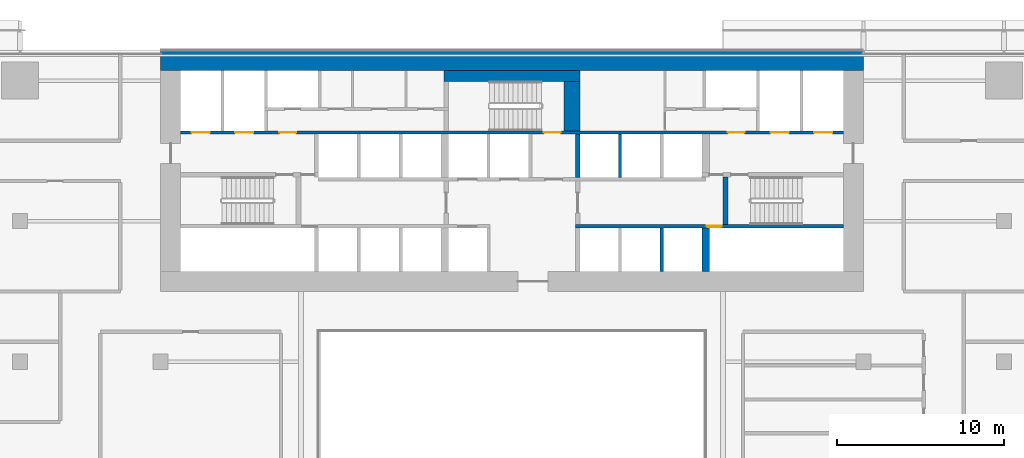
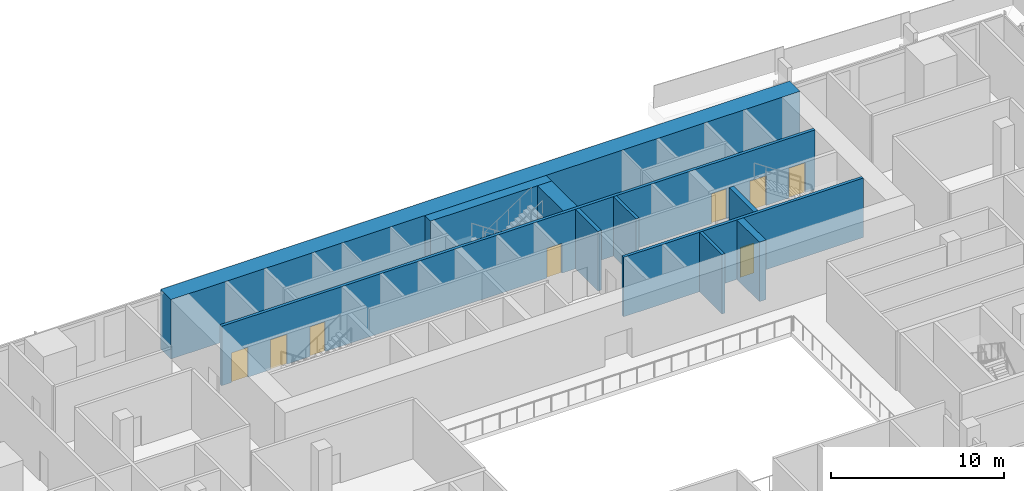
# One storey, part 16 of 23: 10 walls, 8 doors, 8 openings.
"""IFC4 building model written with IfcOpenShell, lengths in metres."""

from ifc_helpers import new_model, si_unit, direction, frame, frame_2d, origin, place, context, subcontext, project, spatial, rectangle, extrude, material, layer, layer_set, type_object, element, fill, save


model = new_model("IFC4")

# Units and contexts
model_context = context("Model", 3, precision=1e-05, world=origin(), true_north=direction((0.0, 1.0)))
body_context = subcontext(model_context, "Body", "Model", "MODEL_VIEW")
ifc_project = project(units=[si_unit("LENGTHUNIT", "METRE"), si_unit("AREAUNIT", "SQUARE_METRE"), si_unit("VOLUMEUNIT", "CUBIC_METRE"), si_unit("PLANEANGLEUNIT", "RADIAN"), si_unit("MASSUNIT", "GRAM", prefix="KILO")], contexts=[model_context])

# Site, building, storey
site_placement = place(None, origin())
site = spatial("IfcSite", under=ifc_project, at=site_placement, CompositionType="ELEMENT")
building_placement = place(site_placement, origin())
building = spatial("IfcBuilding", under=site, at=building_placement, Name="Saffron Gate Tower", CompositionType="ELEMENT")
storey_placement = place(building_placement, frame((0.0, 0.0, 23.699951171875)))
storey = spatial("IfcBuildingStorey", under=building, at=storey_placement, Name="L04", CompositionType="ELEMENT", Elevation=23.699951171875)

# Walls
ifc_material_1 = material(Name="Concrete C70", Category="concrete")
ifc_layer_1 = layer(ifc_material_1, 1.199951171875)
ifc_layer_set_1 = layer_set([ifc_layer_1], Name="CW1 RC core wall 1200 C70")
wall_type_1 = type_object("IfcWallType", Name="CW1 RC core wall 1200 C70", PredefinedType="SOLIDWALL", material=ifc_layer_set_1)
wall_1_placement = place(storey_placement, frame((66.60009765625, 75.0, 0.0), z_axis=(0.0, 0.0, 1.0), x_axis=(1.0, 0.0, 0.0)))
element("IfcWall", 1, at=wall_1_placement, inside=storey, type_object=wall_type_1, Name="Wall CW1-L04-2", PredefinedType="SOLIDWALL", context=body_context, shape_type="SweptSolid", body=[
    extrude(rectangle(XDim=42.0, YDim=1.199951171875, at=frame_2d((21.0, 0.0))), origin(), (0.0, 0.0, 1.0), 4.199951171875),
])
ifc_layer_2 = layer(ifc_material_1, 0.25)
ifc_layer_set_2 = layer_set([ifc_layer_2], Name="CW2 RC core wall 250 C70")
wall_type_2 = type_object("IfcWallType", Name="CW2 RC core wall 250 C70", PredefinedType="SOLIDWALL", material=ifc_layer_set_2)
wall_2_placement = place(storey_placement, frame((91.52490234375, 68.0, 0.0), z_axis=(0.0, 0.0, 1.0), x_axis=(0.0, 1.0, 0.0)))
element("IfcWall", 2, at=wall_2_placement, inside=storey, type_object=wall_type_2, Name="Wall CW2-L04-26", PredefinedType="SOLIDWALL", context=body_context, shape_type="SweptSolid", body=[
    extrude(rectangle(XDim=2.60009765625, YDim=0.25, at=frame_2d((1.300048828125, 0.0))), origin(), (0.0, 0.0, 1.0), 4.199951171875),
])
ifc_layer_3 = layer(ifc_material_1, 0.199951171875)
ifc_layer_set_3 = layer_set([ifc_layer_3], Name="CW3 RC core wall 200 C70")
wall_type_3 = type_object("IfcWallType", Name="CW3 RC core wall 200 C70", PredefinedType="SOLIDWALL", material=ifc_layer_set_3)
wall_3_placement = place(storey_placement, frame((96.550048828125, 62.39990234375, 0.0), z_axis=(0.0, 0.0, 1.0), x_axis=(0.0, 1.0, 0.0)))
element("IfcWall", 3, at=wall_3_placement, inside=storey, type_object=wall_type_3, Name="Wall CW3-L04-12", PredefinedType="SOLIDWALL", context=body_context, shape_type="SweptSolid", body=[
    extrude(rectangle(XDim=2.60009765625, YDim=0.199951171875, at=frame_2d((1.300048828125, 0.0))), origin(), (0.0, 0.0, 1.0), 4.199951171875),
])

# Wall, opening, door
wall_4_placement = place(storey_placement, frame((91.39990234375, 65.10009765625, 0.0), z_axis=(0.0, 0.0, 1.0), x_axis=(1.0, 0.0, 0.0)))
wall_4 = element("IfcWall", 4, at=wall_4_placement, inside=storey, type_object=wall_type_3, Name="Wall CW3-L04-15", PredefinedType="SOLIDWALL", context=body_context, shape_type="SweptSolid", body=[
    extrude(rectangle(XDim=16.0, YDim=0.199951171875, at=frame_2d((8.0, 0.0))), origin(), (0.0, 0.0, 1.0), 4.199951171875),
])
opening_1_placement = place(wall_4_placement, frame((7.830078125, 0.0, 0.0)))
opening_1 = element("IfcOpeningElement", 5, at=opening_1_placement, cuts=wall_4, Name="Opening CR-48", PredefinedType="OPENING", context=body_context, shape_type="SweptSolid", body=[
    extrude(rectangle(XDim=0.89990234375, YDim=2.10009765625, at=frame_2d((0.449951171875, 1.050048828125))), frame((0.0, 0.10986328125, 0.0), z_axis=(0.0, -1.0, 0.0), x_axis=(1.0, 0.0, 0.0)), (0.0, 0.0, 1.0), 0.219970703125),
])
ifc_material_2 = material(Name="Steel fire door set", Category="steel")
door_type_1 = type_object("IfcDoorType", Name="CD2 Riser door 900x2100 EI 60", OperationType="NOTDEFINED", PredefinedType="DOOR", material=ifc_material_2)
door_1_placement = place(opening_1_placement, origin())
door_1 = element("IfcDoor", 6, at=door_1_placement, inside=storey, type_object=door_type_1, Name="DOOR CR-48", OperationType="SINGLE_SWING_RIGHT", OverallHeight=2.10009765625, OverallWidth=0.89990234375, PredefinedType="DOOR", context=body_context, shape_type="SweptSolid", body=[
    extrude(rectangle(XDim=0.89990234375, YDim=2.10009765625, at=frame_2d((0.449951171875, 1.050048828125))), frame((0.0, 0.02490234375, 0.0), z_axis=(0.0, -1.0, 0.0), x_axis=(1.0, 0.0, 0.0)), (0.0, 0.0, 1.0), 0.050048828125),
])
fill(opening_1, door_1)

# Wall
wall_5_placement = place(storey_placement, frame((94.050048828125, 68.0, 0.0), z_axis=(0.0, 0.0, 1.0), x_axis=(0.0, 1.0, 0.0)))
element("IfcWall", 7, at=wall_5_placement, inside=storey, type_object=wall_type_3, Name="Wall CW3-L04-27", PredefinedType="SOLIDWALL", context=body_context, shape_type="SweptSolid", body=[
    extrude(rectangle(XDim=2.60009765625, YDim=0.199951171875, at=frame_2d((1.300048828125, 0.0))), origin(), (0.0, 0.0, 1.0), 4.199951171875),
])

# Wall, openings, doors
wall_6_placement = place(storey_placement, frame((67.800048828125, 70.699951171875, 0.0), z_axis=(0.0, 0.0, 1.0), x_axis=(1.0, 0.0, 0.0)))
wall_6 = element("IfcWall", 8, at=wall_6_placement, inside=storey, type_object=wall_type_3, Name="Wall CW3-L04-34", PredefinedType="SOLIDWALL", context=body_context, shape_type="SweptSolid", body=[
    extrude(rectangle(XDim=39.599853515625, YDim=0.199951171875, at=frame_2d((19.7998046875, 0.0))), origin(), (0.0, 0.0, 1.0), 4.199951171875),
])
opening_2_placement = place(wall_6_placement, frame((0.64990234375, 0.0, 0.0)))
opening_2 = element("IfcOpeningElement", 9, at=opening_2_placement, cuts=wall_6, Name="Opening LD-FF1", PredefinedType="OPENING", context=body_context, shape_type="SweptSolid", body=[
    extrude(rectangle(XDim=1.10009765625, YDim=2.10009765625, at=frame_2d((0.550048828125, 1.050048828125))), frame((0.0, 0.10986328125, 0.0), z_axis=(0.0, -1.0, 0.0), x_axis=(1.0, 0.0, 0.0)), (0.0, 0.0, 1.0), 0.219970703125),
])
opening_3_placement = place(wall_6_placement, frame((3.25, 0.0, 0.0)))
opening_3 = element("IfcOpeningElement", 10, at=opening_3_placement, cuts=wall_6, Name="Opening LD-SV1", PredefinedType="OPENING", context=body_context, shape_type="SweptSolid", body=[
    extrude(rectangle(XDim=1.10009765625, YDim=2.10009765625, at=frame_2d((0.550048828125, 1.050048828125))), frame((0.0, 0.10986328125, 0.0), z_axis=(0.0, -1.0, 0.0), x_axis=(1.0, 0.0, 0.0)), (0.0, 0.0, 1.0), 0.219970703125),
])
opening_4_placement = place(wall_6_placement, frame((5.89990234375, 0.0, 0.0)))
opening_4 = element("IfcOpeningElement", 11, at=opening_4_placement, cuts=wall_6, Name="Opening CR-03", PredefinedType="OPENING", context=body_context, shape_type="SweptSolid", body=[
    extrude(rectangle(XDim=1.0, YDim=2.10009765625, at=frame_2d((0.5, 1.050048828125))), frame((0.0, 0.10986328125, 0.0), z_axis=(0.0, -1.0, 0.0), x_axis=(1.0, 0.0, 0.0)), (0.0, 0.0, 1.0), 0.219970703125),
])
opening_5_placement = place(wall_6_placement, frame((21.699951171875, 0.0, 0.0)))
opening_5 = element("IfcOpeningElement", 12, at=opening_5_placement, cuts=wall_6, Name="Opening CR-17", PredefinedType="OPENING", context=body_context, shape_type="SweptSolid", body=[
    extrude(rectangle(XDim=1.0, YDim=2.10009765625, at=frame_2d((0.5, 1.050048828125))), frame((0.0, 0.10986328125, 0.0), z_axis=(0.0, -1.0, 0.0), x_axis=(1.0, 0.0, 0.0)), (0.0, 0.0, 1.0), 0.219970703125),
])
opening_6_placement = place(wall_6_placement, frame((32.699951171875, 0.0, 0.0)))
opening_6 = element("IfcOpeningElement", 13, at=opening_6_placement, cuts=wall_6, Name="Opening CR-04", PredefinedType="OPENING", context=body_context, shape_type="SweptSolid", body=[
    extrude(rectangle(XDim=1.0, YDim=2.10009765625, at=frame_2d((0.5, 1.050048828125))), frame((0.0, 0.10986328125, 0.0), z_axis=(0.0, -1.0, 0.0), x_axis=(1.0, 0.0, 0.0)), (0.0, 0.0, 1.0), 0.219970703125),
])
opening_7_placement = place(wall_6_placement, frame((35.25, 0.0, 0.0)))
opening_7 = element("IfcOpeningElement", 14, at=opening_7_placement, cuts=wall_6, Name="Opening LD-SV2", PredefinedType="OPENING", context=body_context, shape_type="SweptSolid", body=[
    extrude(rectangle(XDim=1.10009765625, YDim=2.10009765625, at=frame_2d((0.550048828125, 1.050048828125))), frame((0.0, 0.10986328125, 0.0), z_axis=(0.0, -1.0, 0.0), x_axis=(1.0, 0.0, 0.0)), (0.0, 0.0, 1.0), 0.219970703125),
])
opening_8_placement = place(wall_6_placement, frame((37.85009765625, 0.0, 0.0)))
opening_8 = element("IfcOpeningElement", 15, at=opening_8_placement, cuts=wall_6, Name="Opening LD-FF2", PredefinedType="OPENING", context=body_context, shape_type="SweptSolid", body=[
    extrude(rectangle(XDim=1.10009765625, YDim=2.10009765625, at=frame_2d((0.550048828125, 1.050048828125))), frame((0.0, 0.10986328125, 0.0), z_axis=(0.0, -1.0, 0.0), x_axis=(1.0, 0.0, 0.0)), (0.0, 0.0, 1.0), 0.219970703125),
])
door_type_2 = type_object("IfcDoorType", Name="CD4 Lobby door 1000x2100 EI 120", OperationType="NOTDEFINED", PredefinedType="DOOR", material=ifc_material_2)
door_2_placement = place(opening_4_placement, origin())
door_2 = element("IfcDoor", 16, at=door_2_placement, inside=storey, type_object=door_type_2, Name="DOOR CR-03", OperationType="SINGLE_SWING_LEFT", OverallHeight=2.10009765625, OverallWidth=1.0, PredefinedType="DOOR", context=body_context, shape_type="SweptSolid", body=[
    extrude(rectangle(XDim=1.0, YDim=2.10009765625, at=frame_2d((0.5, 1.050048828125))), frame((0.0, 0.02490234375, 0.0), z_axis=(0.0, -1.0, 0.0), x_axis=(1.0, 0.0, 0.0)), (0.0, 0.0, 1.0), 0.050048828125),
])
fill(opening_4, door_2)
door_3_placement = place(opening_6_placement, origin())
door_3 = element("IfcDoor", 17, at=door_3_placement, inside=storey, type_object=door_type_2, Name="DOOR CR-04", OperationType="SINGLE_SWING_RIGHT", OverallHeight=2.10009765625, OverallWidth=1.0, PredefinedType="DOOR", context=body_context, shape_type="SweptSolid", body=[
    extrude(rectangle(XDim=1.0, YDim=2.10009765625, at=frame_2d((0.5, 1.050048828125))), frame((0.0, 0.02490234375, 0.0), z_axis=(0.0, -1.0, 0.0), x_axis=(1.0, 0.0, 0.0)), (0.0, 0.0, 1.0), 0.050048828125),
])
fill(opening_6, door_3)
door_type_3 = type_object("IfcDoorType", Name="CD5 Stair door 1000x2100 EI 120", OperationType="NOTDEFINED", PredefinedType="DOOR", material=ifc_material_2)
door_4_placement = place(opening_5_placement, origin())
door_4 = element("IfcDoor", 18, at=door_4_placement, inside=storey, type_object=door_type_3, Name="DOOR CR-17", OperationType="SINGLE_SWING_RIGHT", OverallHeight=2.10009765625, OverallWidth=1.0, PredefinedType="DOOR", context=body_context, shape_type="SweptSolid", body=[
    extrude(rectangle(XDim=1.0, YDim=2.10009765625, at=frame_2d((0.5, 1.050048828125))), frame((0.0, 0.02490234375, 0.0), z_axis=(0.0, -1.0, 0.0), x_axis=(1.0, 0.0, 0.0)), (0.0, 0.0, 1.0), 0.050048828125),
])
fill(opening_5, door_4)
ifc_material_3 = material(Name="Stainless steel landing door", Category="steel")
door_type_4 = type_object("IfcDoorType", Name="LD Lift landing door 1100x2100 EI 120", OperationType="SLIDING_TO_LEFT", PredefinedType="DOOR", material=ifc_material_3)
door_5_placement = place(opening_2_placement, origin())
door_5 = element("IfcDoor", 19, at=door_5_placement, inside=storey, type_object=door_type_4, Name="LANDING DOOR LD-FF1", OperationType="SLIDING_TO_RIGHT", OverallHeight=2.10009765625, OverallWidth=1.10009765625, PredefinedType="DOOR", context=body_context, shape_type="SweptSolid", body=[
    extrude(rectangle(XDim=1.10009765625, YDim=2.10009765625, at=frame_2d((0.550048828125, 1.050048828125))), frame((0.0, 0.02490234375, 0.0), z_axis=(0.0, -1.0, 0.0), x_axis=(1.0, 0.0, 0.0)), (0.0, 0.0, 1.0), 0.050048828125),
])
fill(opening_2, door_5)
door_6_placement = place(opening_3_placement, origin())
door_6 = element("IfcDoor", 20, at=door_6_placement, inside=storey, type_object=door_type_4, Name="LANDING DOOR LD-SV1", OperationType="SLIDING_TO_RIGHT", OverallHeight=2.10009765625, OverallWidth=1.10009765625, PredefinedType="DOOR", context=body_context, shape_type="SweptSolid", body=[
    extrude(rectangle(XDim=1.10009765625, YDim=2.10009765625, at=frame_2d((0.550048828125, 1.050048828125))), frame((0.0, 0.02490234375, 0.0), z_axis=(0.0, -1.0, 0.0), x_axis=(1.0, 0.0, 0.0)), (0.0, 0.0, 1.0), 0.050048828125),
])
fill(opening_3, door_6)
door_7_placement = place(opening_7_placement, origin())
door_7 = element("IfcDoor", 21, at=door_7_placement, inside=storey, type_object=door_type_4, Name="LANDING DOOR LD-SV2", OperationType="SLIDING_TO_RIGHT", OverallHeight=2.10009765625, OverallWidth=1.10009765625, PredefinedType="DOOR", context=body_context, shape_type="SweptSolid", body=[
    extrude(rectangle(XDim=1.10009765625, YDim=2.10009765625, at=frame_2d((0.550048828125, 1.050048828125))), frame((0.0, 0.02490234375, 0.0), z_axis=(0.0, -1.0, 0.0), x_axis=(1.0, 0.0, 0.0)), (0.0, 0.0, 1.0), 0.050048828125),
])
fill(opening_7, door_7)
door_8_placement = place(opening_8_placement, origin())
door_8 = element("IfcDoor", 22, at=door_8_placement, inside=storey, type_object=door_type_4, Name="LANDING DOOR LD-FF2", OperationType="SLIDING_TO_RIGHT", OverallHeight=2.10009765625, OverallWidth=1.10009765625, PredefinedType="DOOR", context=body_context, shape_type="SweptSolid", body=[
    extrude(rectangle(XDim=1.10009765625, YDim=2.10009765625, at=frame_2d((0.550048828125, 1.050048828125))), frame((0.0, 0.02490234375, 0.0), z_axis=(0.0, -1.0, 0.0), x_axis=(1.0, 0.0, 0.0)), (0.0, 0.0, 1.0), 0.050048828125),
])
fill(opening_8, door_8)

# Walls
ifc_layer_4 = layer(ifc_material_1, 0.449951171875)
ifc_layer_set_4 = layer_set([ifc_layer_4], Name="CW4 RC core wall 450 C70")
wall_type_4 = type_object("IfcWallType", Name="CW4 RC core wall 450 C70", PredefinedType="SOLIDWALL", material=ifc_layer_set_4)
wall_7_placement = place(storey_placement, frame((99.175048828125, 62.39990234375, 0.0), z_axis=(0.0, 0.0, 1.0), x_axis=(0.0, 1.0, 0.0)))
element("IfcWall", 23, at=wall_7_placement, inside=storey, type_object=wall_type_4, Name="Wall CW4-L04-13", PredefinedType="SOLIDWALL", context=body_context, shape_type="SweptSolid", body=[
    extrude(rectangle(XDim=2.60009765625, YDim=0.449951171875, at=frame_2d((1.300048828125, 0.0))), origin(), (0.0, 0.0, 1.0), 4.199951171875),
])
ifc_layer_5 = layer(ifc_material_1, 0.300048828125)
ifc_layer_set_5 = layer_set([ifc_layer_5], Name="CW5 RC core wall 300 C70")
wall_type_5 = type_object("IfcWallType", Name="CW5 RC core wall 300 C70", PredefinedType="SOLIDWALL", material=ifc_layer_set_5)
wall_8_placement = place(storey_placement, frame((100.35009765625, 65.199951171875, 0.0), z_axis=(0.0, 0.0, 1.0), x_axis=(0.0, 1.0, 0.0)))
element("IfcWall", 24, at=wall_8_placement, inside=storey, type_object=wall_type_5, Name="Wall CW5-L04-19", PredefinedType="SOLIDWALL", context=body_context, shape_type="SweptSolid", body=[
    extrude(rectangle(XDim=2.85009765625, YDim=0.300048828125, at=frame_2d((1.425048828125, 0.0))), origin(), (0.0, 0.0, 1.0), 4.199951171875),
])
ifc_layer_6 = layer(ifc_material_1, 0.949951171875)
ifc_layer_set_6 = layer_set([ifc_layer_6], Name="CW7 RC core wall 950 C70")
wall_type_6 = type_object("IfcWallType", Name="CW7 RC core wall 950 C70", PredefinedType="SOLIDWALL", material=ifc_layer_set_6)
wall_9_placement = place(storey_placement, frame((91.175048828125, 70.800048828125, 0.0), z_axis=(0.0, 0.0, 1.0), x_axis=(0.0, 1.0, 0.0)))
element("IfcWall", 25, at=wall_9_placement, inside=storey, type_object=wall_type_6, Name="Wall CW7-L04-38", PredefinedType="SOLIDWALL", context=body_context, shape_type="SweptSolid", body=[
    extrude(rectangle(XDim=2.949951171875, YDim=0.949951171875, at=frame_2d((1.47509765625, 0.0))), origin(), (0.0, 0.0, 1.0), 4.199951171875),
])
ifc_layer_7 = layer(ifc_material_1, 0.64990234375)
ifc_layer_set_7 = layer_set([ifc_layer_7], Name="CW9 RC core wall 650 C70")
wall_type_7 = type_object("IfcWallType", Name="CW9 RC core wall 650 C70", PredefinedType="SOLIDWALL", material=ifc_layer_set_7)
wall_10_placement = place(storey_placement, frame((83.550048828125, 74.074951171875, 0.0), z_axis=(0.0, 0.0, 1.0), x_axis=(1.0, 0.0, 0.0)))
element("IfcWall", 26, at=wall_10_placement, inside=storey, type_object=wall_type_7, Name="Wall CW9-L04-52", PredefinedType="SOLIDWALL", context=body_context, shape_type="SweptSolid", body=[
    extrude(rectangle(XDim=8.099853515625, YDim=0.64990234375, at=frame_2d((4.0498046875, 0.0))), origin(), (0.0, 0.0, 1.0), 4.199951171875),
])

save(model, "model.ifc")
